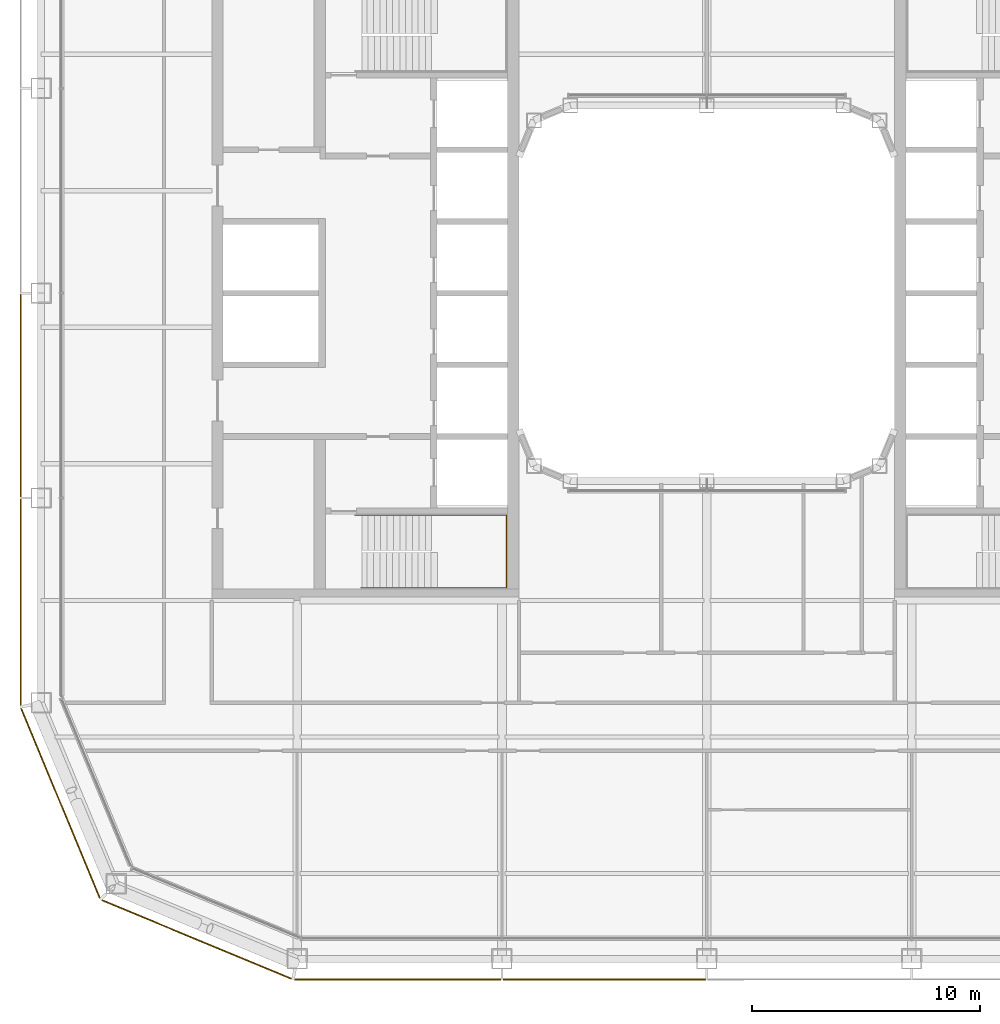
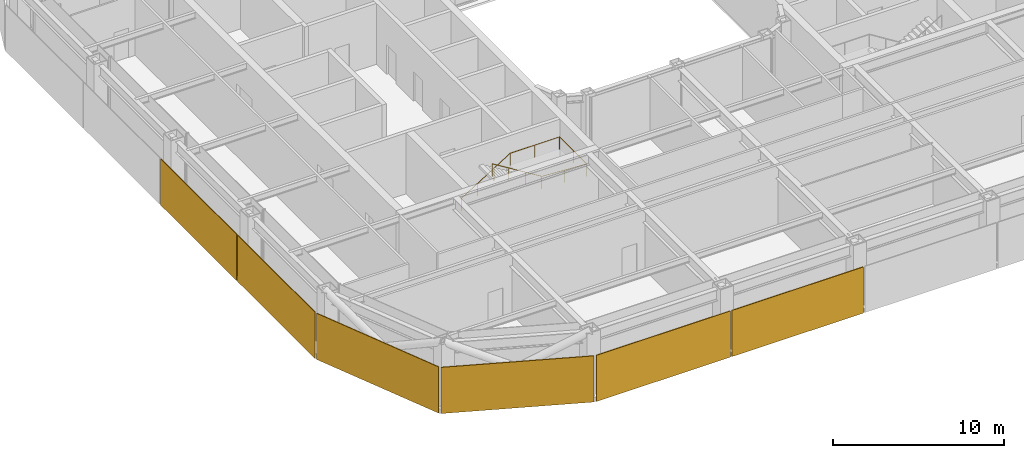
# One storey, part 18 of 23: 6 coverings, 1 railing.
"""IFC4 building model written with IfcOpenShell, lengths in metres."""

import ifcopenshell
import ifcopenshell.guid

model = None  # the IFC model being written
_history = None  # IfcOwnerHistory: only IFC2X3 demands one
_inside = {}  # id of a spatial element -> (the spatial element, [elements in it])
_under = {}  # id of a project, library or spatial element -> (it, [spatial elements below it])
_declared = {}  # id of a project -> (the project, [libraries it declares])
_typed = {}  # id of a type object -> (the type object, [elements of that type])
_made_of = {}  # id of a material, layer set ... -> (it, [elements and type objects made of it])


def new_model(schema):
    """Start an empty IFC model of exactly this schema.

    Asked for "IFC4X3", IfcOpenShell would pick the latest addendum, in which some entities
    have other attributes; the version numbers below select the first issue.
    IFC2X3 requires an IfcOwnerHistory on every rooted entity: one is made here for all.
    """
    global model, _history
    if schema == "IFC4X3":
        model = ifcopenshell.file(schema_version=(4, 3, 0, 0))
    else:
        model = ifcopenshell.file(schema=schema)
    _inside.clear()
    _under.clear()
    _declared.clear()
    _typed.clear()
    _made_of.clear()
    _history = None
    if model.schema == "IFC2X3":
        org = make("IfcOrganization", Name="unknown")
        user = make(
            "IfcPersonAndOrganization",
            ThePerson=make("IfcPerson", FamilyName="unknown"),
            TheOrganization=org,
        )
        app = make(
            "IfcApplication",
            ApplicationDeveloper=org,
            Version="unknown",
            ApplicationFullName="unknown",
            ApplicationIdentifier="unknown",
        )
        _history = make(
            "IfcOwnerHistory",
            OwningUser=user,
            OwningApplication=app,
            ChangeAction="ADDED",
            CreationDate=0,
        )
    return model


def make(cls, **values):
    """One entity of the class cls with the attributes given. An attribute that is None is left unset."""
    return model.create_entity(
        cls, **{name: value for name, value in values.items() if value is not None}
    )


def rooted(cls, **values):
    """An entity with a GlobalId (a new one), such as an element, a storey or a relation."""
    return make(cls, GlobalId=ifcopenshell.guid.new(), OwnerHistory=_history, **values)


def si_unit(unit_type, name, prefix=None):
    """IfcSIUnit, for example si_unit("LENGTHUNIT", "METRE", prefix="MILLI")."""
    return make("IfcSIUnit", UnitType=unit_type, Prefix=prefix, Name=name)


def assignment(units):
    """IfcUnitAssignment: the units of a project."""
    return None if units is None else make("IfcUnitAssignment", Units=units)


def point(xyz):
    """IfcCartesianPoint."""
    return None if xyz is None else make("IfcCartesianPoint", Coordinates=xyz)


def direction(xyz):
    """IfcDirection."""
    return None if xyz is None else make("IfcDirection", DirectionRatios=xyz)


def frame(location, z_axis=None, x_axis=None):
    """IfcAxis2Placement3D, a coordinate frame: its origin and axes. An axis left out is left unset."""
    return make(
        "IfcAxis2Placement3D",
        Location=point(location),
        Axis=direction(z_axis),
        RefDirection=direction(x_axis),
    )


def frame_2d(location, x_axis=None):
    """IfcAxis2Placement2D, a coordinate frame in the plane: its origin and x axis."""
    return make(
        "IfcAxis2Placement2D", Location=point(location), RefDirection=direction(x_axis)
    )


def origin():
    """The frame at (0, 0, 0) with its axes left unset."""
    return frame((0.0, 0.0, 0.0))


def origin_2d():
    """The frame at (0, 0) in the plane with its x axis left unset."""
    return frame_2d((0.0, 0.0))


def place(relative_to, where):
    """IfcLocalPlacement: puts the frame where relative to a parent placement (None: the world)."""
    return make(
        "IfcLocalPlacement", PlacementRelTo=relative_to, RelativePlacement=where
    )


def context(
    kind, dimensions, precision=None, world=None, true_north=None, identifier=None
):
    """IfcGeometricRepresentationContext, for example the 3D "Model" context."""
    return make(
        "IfcGeometricRepresentationContext",
        ContextIdentifier=identifier,
        ContextType=kind,
        CoordinateSpaceDimension=dimensions,
        Precision=precision,
        WorldCoordinateSystem=world,
        TrueNorth=true_north,
    )


def subcontext(parent, identifier, kind, view, scale=None):
    """IfcGeometricRepresentationSubContext, for example "Body" below "Model"."""
    return make(
        "IfcGeometricRepresentationSubContext",
        ContextIdentifier=identifier,
        ContextType=kind,
        ParentContext=parent,
        TargetScale=scale,
        TargetView=view,
    )


def project(units=None, contexts=None):
    """IfcProject with its units and contexts."""
    return rooted(
        "IfcProject",
        Name="project",
        RepresentationContexts=contexts,
        UnitsInContext=assignment(units),
    )


def spatial(cls, under=None, at=None, **own):
    """A site, building, storey or space (cls), placed at a placement, below another one or the project."""
    s = rooted(cls, ObjectPlacement=at, **own)
    if under is not None:
        _under.setdefault(under.id(), (under, []))[1].append(s)
    return s


def profile(cls, at=None, kind="AREA", **sizes):
    """A parametric profile (cls). Its sizes go by their IFC names, for example OverallWidth=200.0."""
    return make(cls, ProfileType=kind, Position=at, **sizes)


def rectangle(**sizes):
    """IfcRectangleProfileDef."""
    return profile("IfcRectangleProfileDef", **sizes)


def circle(**sizes):
    """IfcCircleProfileDef."""
    return profile("IfcCircleProfileDef", **sizes)


def extrude(swept, where, along, depth):
    """IfcExtrudedAreaSolid: the profile swept, set in the frame where, extruded along a direction by depth."""
    return make(
        "IfcExtrudedAreaSolid",
        SweptArea=swept,
        Position=where,
        ExtrudedDirection=direction(along),
        Depth=depth,
    )


def shape(context_of_items, identifier, shape_type, items):
    """IfcShapeRepresentation: the items that make up one representation, for example the "Body"."""
    return make(
        "IfcShapeRepresentation",
        ContextOfItems=context_of_items,
        RepresentationIdentifier=identifier,
        RepresentationType=shape_type,
        Items=items,
    )


def material(Name=None, Category=None):
    """IfcMaterial."""
    return make("IfcMaterial", Name=Name, Category=Category)


def layer(
    of_material, thickness, ventilated=None, Name=None, Category=None, Priority=None
):
    """IfcMaterialLayer: one layer of a wall or slab, of a material (None: an air gap)."""
    return make(
        "IfcMaterialLayer",
        Material=of_material,
        LayerThickness=thickness,
        IsVentilated=ventilated,
        Name=Name,
        Category=Category,
        Priority=Priority,
    )


def layer_set(layers, Name=None):
    """IfcMaterialLayerSet."""
    return make("IfcMaterialLayerSet", MaterialLayers=layers, LayerSetName=Name)


def made_of(thing, what):
    """Note that an element or type object is made of a material, layer set ...; save() writes the relation."""
    if what is not None:
        _made_of.setdefault(what.id(), (what, []))[1].append(thing)
    return thing


def type_object(cls, material=None, **own):
    """A type object (cls), such as IfcWallType, which elements share."""
    return made_of(rooted(cls, **own), material)


def element(
    cls,
    number,
    at=None,
    inside=None,
    cuts=None,
    type_object=None,
    material=None,
    context=None,
    identifier="Body",
    shape_type=None,
    held_by="IfcProductDefinitionShape",
    body=None,
    shapes=None,
    **own,
):
    """One element of the class cls, such as IfcWall. Its Tag is "e" and its number.

    at: its placement. inside: the storey or other place that contains it. cuts: it is an
    opening in that element (IfcRelVoidsElement). A single representation is given by context,
    identifier, shape_type and body (its items); several are given by shapes. held_by: the class
    of the entity that holds the representations. save() writes the other relations.
    """
    e = rooted(cls, Tag="e%d" % number, ObjectPlacement=at, **own)
    if body is not None:
        shapes = [shape(context, identifier, shape_type, body)]
    if shapes is not None:
        e.Representation = make(held_by, Representations=shapes)
    if inside is not None:
        _inside.setdefault(inside.id(), (inside, []))[1].append(e)
    if cuts is not None:
        rooted(
            "IfcRelVoidsElement", RelatingBuildingElement=cuts, RelatedOpeningElement=e
        )
    if type_object is not None:
        _typed.setdefault(type_object.id(), (type_object, []))[1].append(e)
    return made_of(e, material)


def aggregate(whole, parts):
    """IfcRelAggregates: a whole, such as a stair, and the parts it consists of."""
    return rooted("IfcRelAggregates", RelatingObject=whole, RelatedObjects=parts)


def save(model, path):
    """Write the relations noted so far, then the file.

    IfcRelAggregates (storeys below a building ...), IfcRelContainedInSpatialStructure (elements
    in a storey), IfcRelDefinesByType, IfcRelAssociatesMaterial and IfcRelDeclares: one each for
    every whole, place, type object, material and project.
    """
    for whole, parts in _under.values():
        aggregate(whole, parts)
    for where, things in _inside.values():
        rooted(
            "IfcRelContainedInSpatialStructure",
            RelatedElements=things,
            RelatingStructure=where,
        )
    for kind, things in _typed.values():
        rooted("IfcRelDefinesByType", RelatedObjects=things, RelatingType=kind)
    for what, things in _made_of.values():
        rooted("IfcRelAssociatesMaterial", RelatedObjects=things, RelatingMaterial=what)
    for by, libraries in _declared.values():
        rooted("IfcRelDeclares", RelatingContext=by, RelatedDefinitions=libraries)
    model.write(path)


model = new_model("IFC4")

# Units and contexts
model_context = context("Model", 3, precision=1e-05, world=origin(), true_north=direction((0.0, 1.0)))
body_context = subcontext(model_context, "Body", "Model", "MODEL_VIEW")
ifc_project = project(units=[si_unit("LENGTHUNIT", "METRE"), si_unit("AREAUNIT", "SQUARE_METRE"), si_unit("VOLUMEUNIT", "CUBIC_METRE"), si_unit("PLANEANGLEUNIT", "RADIAN"), si_unit("MASSUNIT", "GRAM", prefix="KILO")], contexts=[model_context])

# Site, building, storey
site_placement = place(None, origin())
site = spatial("IfcSite", under=ifc_project, at=site_placement, CompositionType="ELEMENT")
building_placement = place(site_placement, origin())
building = spatial("IfcBuilding", under=site, at=building_placement, Name="Siwar Civic Tower", CompositionType="ELEMENT")
storey_placement = place(building_placement, frame((0.0, 0.0, 167.699951171875)))
storey = spatial("IfcBuildingStorey", under=building, at=storey_placement, Name="L36", CompositionType="ELEMENT", Elevation=167.699951171875)

# Railing
ifc_material_1 = material(Name="Stainless steel", Category="steel")
railing_type = type_object("IfcRailingType", Name="CORE-STAIR-HANDRAIL", PredefinedType="HANDRAIL", material=ifc_material_1)
railing_placement = place(storey_placement, frame((-15.449951171875, -9.758056640625, 0.173095703125)))
element("IfcRailing", 1, at=railing_placement, inside=storey, type_object=railing_type, Name="Stair handrail ST2", PredefinedType="HANDRAIL", context=body_context, shape_type="SweptSolid", body=[
    extrude(circle(Radius=0.02001953125, at=origin_2d()), frame((0.0, 0.0, 0.8798828125), z_axis=(0.847063342986, 0.0, 0.531491950051), x_axis=(0.0, 1.0, 0.0)), (0.0, 0.0, 1.0), 3.90771484375),
    extrude(circle(Radius=0.02001953125, at=origin_2d()), frame((3.31005859375, 0.0, 2.956787109375), z_axis=(1.0, 0.0, 0.0), x_axis=(0.0, 1.0, 0.0)), (0.0, 0.0, 1.0), 3.331787109375),
    extrude(circle(Radius=0.02001953125, at=origin_2d()), frame((6.641845703125, 0.0, 2.956787109375), z_axis=(0.0, -1.0, 0.0), x_axis=(1.0, 0.0, 0.0)), (0.0, 0.0, 1.0), 3.183837890625),
    extrude(circle(Radius=0.02001953125, at=origin_2d()), frame((6.641845703125, -3.183837890625, 2.956787109375), z_axis=(-0.99837434197, 0.0, 0.056997134106), x_axis=(0.0, -1.0, 0.0)), (0.0, 0.0, 1.0), 3.036865234375),
    extrude(circle(Radius=0.02001953125, at=origin_2d()), frame((3.60986328125, -3.183837890625, 3.1298828125), z_axis=(-0.850606129759, 0.0, 0.525803396734), x_axis=(0.0, -1.0, 0.0)), (0.0, 0.0, 1.0), 3.949951171875),
    extrude(circle(Radius=0.02001953125, at=origin_2d()), origin(), (0.0, 0.0, 1.0), 0.85986328125),
    extrude(circle(Radius=0.02001953125, at=origin_2d()), frame((1.103271484375, 0.0, 0.6923828125)), (0.0, 0.0, 1.0), 0.85986328125),
    extrude(circle(Radius=0.02001953125, at=origin_2d()), frame((2.206787109375, 0.0, 1.384521484375)), (0.0, 0.0, 1.0), 0.85986328125),
    extrude(circle(Radius=0.02001953125, at=origin_2d()), frame((3.31005859375, 0.0, 2.076904296875)), (0.0, 0.0, 1.0), 0.85986328125),
    extrude(circle(Radius=0.02001953125, at=origin_2d()), frame((4.97607421875, 0.0, 2.076904296875)), (0.0, 0.0, 1.0), 0.85986328125),
    extrude(circle(Radius=0.02001953125, at=origin_2d()), frame((6.641845703125, 0.0, 2.076904296875)), (0.0, 0.0, 1.0), 0.85986328125),
    extrude(circle(Radius=0.02001953125, at=origin_2d()), frame((6.641845703125, -1.591796875, 2.076904296875)), (0.0, 0.0, 1.0), 0.85986328125),
    extrude(circle(Radius=0.02001953125, at=origin_2d()), frame((6.641845703125, -3.183837890625, 2.076904296875)), (0.0, 0.0, 1.0), 0.85986328125),
    extrude(circle(Radius=0.02001953125, at=origin_2d()), frame((5.1259765625, -3.183837890625, 2.16357421875)), (0.0, 0.0, 1.0), 0.85986328125),
    extrude(circle(Radius=0.02001953125, at=origin_2d()), frame((3.60986328125, -3.183837890625, 2.25)), (0.0, 0.0, 1.0), 0.85986328125),
    extrude(circle(Radius=0.02001953125, at=origin_2d()), frame((2.489990234375, -3.183837890625, 2.9423828125)), (0.0, 0.0, 1.0), 0.85986328125),
    extrude(circle(Radius=0.02001953125, at=origin_2d()), frame((1.369873046875, -3.183837890625, 3.634521484375)), (0.0, 0.0, 1.0), 0.85986328125),
    extrude(circle(Radius=0.02001953125, at=origin_2d()), frame((0.25, -3.183837890625, 4.326904296875)), (0.0, 0.0, 1.0), 0.85986328125),
])

# Coverings
ifc_material_2 = material(Name="Perforated aluminium cassette, pale metal", Category="aluminium")
ifc_layer_1 = layer(ifc_material_2, 0.050048828125)
ifc_layer_set_1 = layer_set([ifc_layer_1], Name="Perforated aluminium cassette, pale metal")
covering_type_1 = type_object("IfcCoveringType", Name="ENV-OUTER SKIN OS-3", PredefinedType="CLADDING", material=ifc_layer_set_1)
covering_1_placement = place(storey_placement, frame((-30.14990234375, -4.5, -0.14990234375), z_axis=(0.0, 0.0, 1.0), x_axis=(0.0, -1.0, 0.0)))
element("IfcCovering", 2, at=covering_1_placement, inside=storey, type_object=covering_type_1, Name="OUTER SKIN OS-3 W 3", PredefinedType="CLADDING", context=body_context, shape_type="SweptSolid", body=[
    extrude(rectangle(XDim=8.89990234375, YDim=0.050048828125, at=origin_2d()), origin(), (0.0, 0.0, 1.0), 3.300048828125),
])
covering_2_placement = place(storey_placement, frame((-30.14990234375, -13.57958984375, -0.14990234375), z_axis=(0.0, 0.0, 1.0), x_axis=(0.0, -1.0, 0.0)))
element("IfcCovering", 3, at=covering_2_placement, inside=storey, type_object=covering_type_1, Name="OUTER SKIN OS-3 W 4", PredefinedType="CLADDING", context=body_context, shape_type="SweptSolid", body=[
    extrude(rectangle(XDim=9.05908203125, YDim=0.050048828125, at=origin_2d()), origin(), (0.0, 0.0, 1.0), 3.300048828125),
])
ifc_material_3 = material(Name="Perforated aluminium cassette, pale metal", Category="aluminium")
ifc_layer_2 = layer(ifc_material_3, 0.054931640625)
ifc_layer_set_2 = layer_set([ifc_layer_2], Name="Perforated aluminium cassette, pale metal")
covering_type_2 = type_object("IfcCoveringType", Name="ENV-OUTER SKIN OS-4", PredefinedType="CLADDING", material=ifc_layer_set_2)
covering_3_placement = place(storey_placement, frame((-13.57958984375, -30.14990234375, -0.14990234375), z_axis=(0.0, 0.0, 1.0), x_axis=(1.0, 0.0, 0.0)))
element("IfcCovering", 4, at=covering_3_placement, inside=storey, type_object=covering_type_2, Name="OUTER SKIN OS-4 S 1", PredefinedType="CLADDING", context=body_context, shape_type="SweptSolid", body=[
    extrude(rectangle(XDim=9.05908203125, YDim=0.054931640625, at=origin_2d()), origin(), (0.0, 0.0, 1.0), 3.300048828125),
])
covering_4_placement = place(storey_placement, frame((-4.5, -30.14990234375, -0.14990234375), z_axis=(0.0, 0.0, 1.0), x_axis=(1.0, 0.0, 0.0)))
element("IfcCovering", 5, at=covering_4_placement, inside=storey, type_object=covering_type_2, Name="OUTER SKIN OS-4 S 2", PredefinedType="CLADDING", context=body_context, shape_type="SweptSolid", body=[
    extrude(rectangle(XDim=8.89990234375, YDim=0.054931640625, at=origin_2d()), origin(), (0.0, 0.0, 1.0), 3.300048828125),
])
for number, where, z_axis, x_axis, name in (
    (6, (-28.39697265625, -22.411376953125, -0.14990234375), (0.0, 0.0, 1.0), (0.382683432365, -0.923879532511, 0.0), "OUTER SKIN OS-4 SW1 1"),
    (7, (-22.411376953125, -28.39697265625, -0.14990234375), (0.0, 0.0, 1.0), (0.923879532511, -0.382683432365, 0.0), "OUTER SKIN OS-4 SW2 1"),
):
    element("IfcCovering", number, at=place(storey_placement, frame(where, z_axis=z_axis, x_axis=x_axis)), inside=storey, type_object=covering_type_2, Name=name, PredefinedType="CLADDING", context=body_context, shape_type="SweptSolid", body=[
        extrude(rectangle(XDim=9.022216796875, YDim=0.054931640625, at=origin_2d()), origin(), (0.0, 0.0, 1.0), 3.300048828125),
    ])

save(model, "model.ifc")
